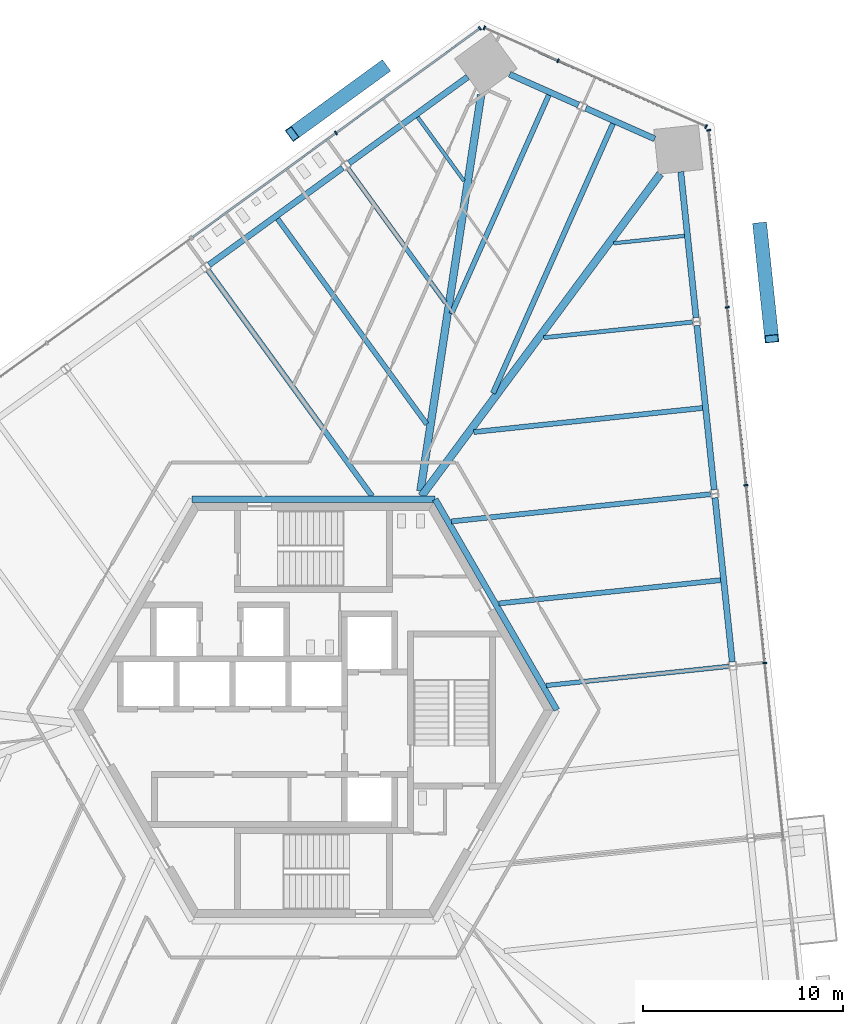
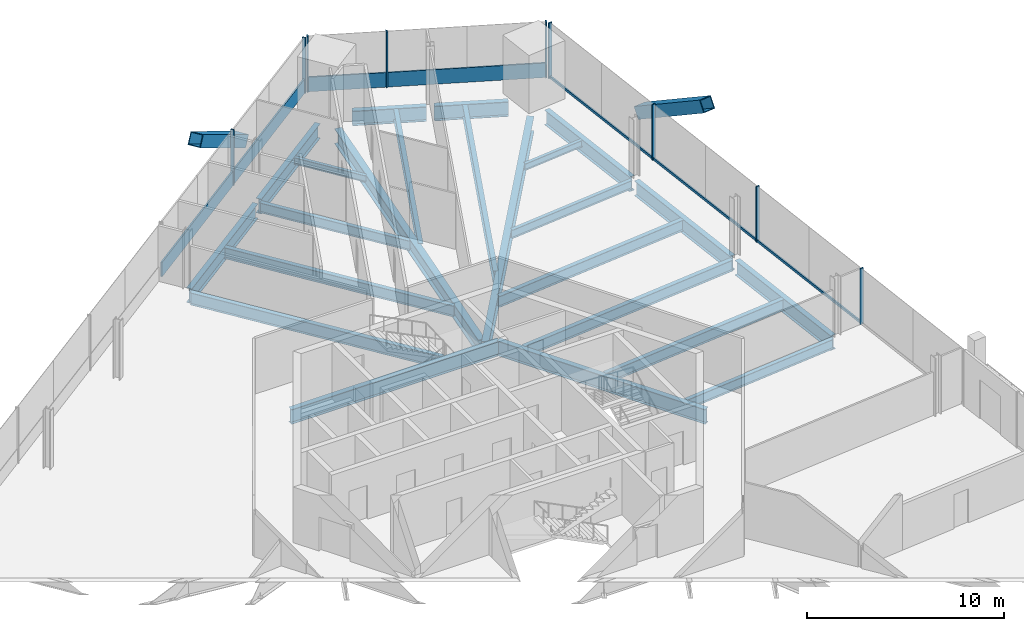
# One storey, part 8 of 17: 23 beams, 18 members, 3 elements without a shape of their own.
"""IFC4 building model written with IfcOpenShell, lengths in metres."""

from ifc_helpers import new_model, si_unit, direction, frame, origin, origin_2d, place, context, subcontext, project, spatial, rectangle, hollow_rectangle, i_section, extrude, source, transform, mapped, material, material_profile, profile_set, type_object, element, aggregate, save


model = new_model("IFC4")

# Units and contexts
model_context = context("Model", 3, precision=1e-05, world=origin(), true_north=direction((0.0, 1.0)))
body_context = subcontext(model_context, "Body", "Model", "MODEL_VIEW")
ifc_project = project(units=[si_unit("LENGTHUNIT", "METRE"), si_unit("AREAUNIT", "SQUARE_METRE"), si_unit("VOLUMEUNIT", "CUBIC_METRE"), si_unit("PLANEANGLEUNIT", "RADIAN"), si_unit("MASSUNIT", "GRAM", prefix="KILO")], contexts=[model_context])

# Site, building, storey
site_placement = place(None, origin())
site = spatial("IfcSite", under=ifc_project, at=site_placement, CompositionType="ELEMENT")
building_placement = place(site_placement, origin())
building = spatial("IfcBuilding", under=site, at=building_placement, Name="Triune Harvest Tower", CompositionType="ELEMENT")
storey_placement = place(building_placement, frame((0.0, 0.0, 62.10009765625)))
storey = spatial("IfcBuildingStorey", under=building, at=storey_placement, Name="L14", CompositionType="ELEMENT", Elevation=62.10009765625)

# Beams
ifc_material_1 = material(Name="Steel ASTM A992 Gr 50", Category="steel")
ifc_material_profile_1 = material_profile(ifc_material_1, i_section(OverallWidth=0.3046875, OverallDepth=0.914306640625, WebThickness=0.0166015625, FlangeThickness=0.02587890625, at=origin_2d()), Name="W36x160")
ifc_profile_set_1 = profile_set([ifc_material_profile_1], Name="Steel ASTM A992 Gr 50")
beam_type_1 = type_object("IfcBeamType", Name="CG-1 Core ring girder W36x160", PredefinedType="BEAM", material=ifc_profile_set_1)
shared_shape_1 = source(origin(), body_context, "Body", "SweptSolid", [
    extrude(i_section(OverallWidth=0.3046875, OverallDepth=0.914306640625, WebThickness=0.0166015625, FlangeThickness=0.02587890625, at=origin_2d()), origin(), (0.0, 0.0, 1.0), 12.176025390625),
])
beam_1_placement = place(storey_placement, frame((12.176025390625, 0.0, -0.6171875), z_axis=(-0.5000099932, 0.866019634131, 0.0), x_axis=(-0.866019634131, -0.5000099932, 0.0)))
element("IfcBeam", 1, at=beam_1_placement, inside=storey, type_object=beam_type_1, Name="beam/L14/CG1", PredefinedType="BEAM", context=body_context, shape_type="MappedRepresentation", body=[
    mapped(shared_shape_1, transform((0.0, 0.0, 0.0), scale=1.0)),
])
shared_shape_2 = source(origin(), body_context, "Body", "SweptSolid", [
    extrude(i_section(OverallWidth=0.3046875, OverallDepth=0.914306640625, WebThickness=0.0166015625, FlangeThickness=0.02587890625, at=origin_2d()), origin(), (0.0, 0.0, 1.0), 12.17578125),
])
beam_2_placement = place(storey_placement, frame((6.087890625, 10.544677734375, -0.6171875), z_axis=(-1.0, 0.0, 0.0), x_axis=(0.0, -1.0, 0.0)))
element("IfcBeam", 2, at=beam_2_placement, inside=storey, type_object=beam_type_1, Name="beam/L14/CG2", PredefinedType="BEAM", context=body_context, shape_type="MappedRepresentation", body=[
    mapped(shared_shape_2, transform((0.0, 0.0, 0.0), scale=1.0)),
])
ifc_material_2 = material(Name="Steel ASTM A992 Gr 50", Category="steel")
ifc_material_profile_2 = material_profile(ifc_material_2, i_section(OverallWidth=0.3046875, OverallDepth=0.914306640625, WebThickness=0.0166015625, FlangeThickness=0.02587890625, at=origin_2d()), Name="W36x160")
ifc_profile_set_2 = profile_set([ifc_material_profile_2], Name="Steel ASTM A992 Gr 50")
beam_type_2 = type_object("IfcBeamType", Name="SB-1 Spandrel beam W36x160", PredefinedType="SPANDREL", material=ifc_profile_set_2)
shared_shape_3 = source(origin(), body_context, "Body", "SweptSolid", [
    extrude(i_section(OverallWidth=0.3046875, OverallDepth=0.914306640625, WebThickness=0.0166015625, FlangeThickness=0.02587890625, at=origin_2d()), origin(), (0.0, 0.0, 1.0), 7.337890625),
])
beam_3_placement = place(storey_placement, frame((7.7158203125, 31.677490234375, -0.6171875), z_axis=(-0.80902661548, -0.58777200975, 0.0), x_axis=(0.58777200975, -0.80902661548, 0.0)))
element("IfcBeam", 3, at=beam_3_placement, inside=storey, type_object=beam_type_2, Name="beam/L14/SB9", PredefinedType="SPANDREL", context=body_context, shape_type="MappedRepresentation", body=[
    mapped(shared_shape_3, transform((0.0, 0.0, 0.0), scale=1.0)),
])
shared_shape_4 = source(origin(), body_context, "Body", "SweptSolid", [
    extrude(i_section(OverallWidth=0.3046875, OverallDepth=0.914306640625, WebThickness=0.0166015625, FlangeThickness=0.02587890625, at=origin_2d()), origin(), (0.0, 0.0, 1.0), 8.263427734375),
])
for number, where, z_axis, x_axis, name in (
    (4, (20.956298828125, 2.403076171875, -0.6171875), (-0.104560208485, 0.994518558299, 0.0), (-0.994518558299, -0.104560208485, 0.0), "beam/L14/SB4"),
    (5, (20.05078125, 11.017822265625, -0.6171875), (-0.104527914852, 0.994521953009, 0.0), (-0.994521953009, -0.104527914852, 0.0), "beam/L14/SB5"),
    (6, (1.45654296875, 27.130126953125, -0.6171875), (-0.809015786763, -0.587786914424, 0.0), (0.587786914424, -0.809015786763, 0.0), "beam/L14/SB10"),
):
    element("IfcBeam", number, at=place(storey_placement, frame(where, z_axis=z_axis, x_axis=x_axis)), inside=storey, type_object=beam_type_2, Name=name, PredefinedType="SPANDREL", context=body_context, shape_type="MappedRepresentation", body=[
        mapped(shared_shape_4, transform((0.0, 0.0, 0.0), scale=1.0)),
    ])
shared_shape_5 = source(origin(), body_context, "Body", "SweptSolid", [
    extrude(i_section(OverallWidth=0.3046875, OverallDepth=0.914306640625, WebThickness=0.0166015625, FlangeThickness=0.02587890625, at=origin_2d()), origin(), (0.0, 0.0, 1.0), 7.338134765625),
])
beam_4_placement = place(storey_placement, frame((19.145263671875, 19.632568359375, -0.6171875), z_axis=(-0.104502933908, 0.994524578281, 0.0), x_axis=(-0.994524578281, -0.104502933908, 0.0)))
element("IfcBeam", 7, at=beam_4_placement, inside=storey, type_object=beam_type_2, Name="beam/L14/SB6", PredefinedType="SPANDREL", context=body_context, shape_type="MappedRepresentation", body=[
    mapped(shared_shape_5, transform((0.0, 0.0, 0.0), scale=1.0)),
])
shared_shape_6 = source(origin(), body_context, "Body", "SweptSolid", [
    extrude(i_section(OverallWidth=0.3046875, OverallDepth=0.914306640625, WebThickness=0.0166015625, FlangeThickness=0.02587890625, at=origin_2d()), origin(), (0.0, 0.0, 1.0), 3.77490234375),
])
beam_5_placement = place(storey_placement, frame((17.073974609375, 28.577392578125, -0.6171875), z_axis=(-0.913541977346, 0.40674445986, 0.0), x_axis=(-0.40674445986, -0.913541977346, 0.0)))
element("IfcBeam", 8, at=beam_5_placement, inside=storey, type_object=beam_type_2, Name="beam/L14/SB7", PredefinedType="SPANDREL", context=body_context, shape_type="MappedRepresentation", body=[
    mapped(shared_shape_6, transform((0.0, 0.0, 0.0), scale=1.0)),
])
shared_shape_7 = source(origin(), body_context, "Body", "SweptSolid", [
    extrude(i_section(OverallWidth=0.3046875, OverallDepth=0.914306640625, WebThickness=0.0166015625, FlangeThickness=0.02587890625, at=origin_2d()), origin(), (0.0, 0.0, 1.0), 3.774658203125),
])
beam_6_placement = place(storey_placement, frame((13.260986328125, 30.275146484375, -0.6171875), z_axis=(-0.913566008399, 0.406690482182, 0.0), x_axis=(-0.406690482182, -0.913566008399, 0.0)))
element("IfcBeam", 9, at=beam_6_placement, inside=storey, type_object=beam_type_2, Name="beam/L14/SB8", PredefinedType="SPANDREL", context=body_context, shape_type="MappedRepresentation", body=[
    mapped(shared_shape_7, transform((0.0, 0.0, 0.0), scale=1.0)),
])
ifc_material_3 = material(Name="Steel ASTM A992 Gr 50", Category="steel")
ifc_material_profile_3 = material_profile(ifc_material_3, i_section(OverallWidth=0.383544921875, OverallDepth=0.9423828125, WebThickness=0.022216796875, FlangeThickness=0.039794921875, at=origin_2d()), Name="W36x232")
ifc_profile_set_3 = profile_set([ifc_material_profile_3], Name="Steel ASTM A992 Gr 50")
beam_type_3 = type_object("IfcBeamType", Name="HG-1 Hip girder W36x232", PredefinedType="BEAM", material=ifc_profile_set_3)
shared_shape_8 = source(origin(), body_context, "Body", "SweptSolid", [
    extrude(i_section(OverallWidth=0.383544921875, OverallDepth=0.9423828125, WebThickness=0.022216796875, FlangeThickness=0.039794921875, at=origin_2d()), origin(), (0.0, 0.0, 1.0), 20.071044921875),
])
beam_7_placement = place(storey_placement, frame((17.3515625, 26.822265625, -0.63134765625), z_axis=(-0.595422435489, -0.803412797581, 0.0), x_axis=(0.803412797581, -0.595422435489, 0.0)))
element("IfcBeam", 10, at=beam_7_placement, inside=storey, type_object=beam_type_3, Name="beam/L14/HG3", PredefinedType="BEAM", context=body_context, shape_type="MappedRepresentation", body=[
    mapped(shared_shape_8, transform((0.0, 0.0, 0.0), scale=1.0)),
])
shared_shape_9 = source(origin(), body_context, "Body", "SweptSolid", [
    extrude(i_section(OverallWidth=0.383544921875, OverallDepth=0.9423828125, WebThickness=0.022216796875, FlangeThickness=0.039794921875, at=origin_2d()), origin(), (0.0, 0.0, 1.0), 20.0546875),
])
beam_8_placement = place(storey_placement, frame((8.38623046875, 30.774169921875, -0.63134765625), z_axis=(-0.151393010927, -0.988473649746, 0.0), x_axis=(0.988473649746, -0.151393010927, 0.0)))
element("IfcBeam", 11, at=beam_8_placement, inside=storey, type_object=beam_type_3, Name="beam/L14/HG4", PredefinedType="BEAM", context=body_context, shape_type="MappedRepresentation", body=[
    mapped(shared_shape_9, transform((0.0, 0.0, 0.0), scale=1.0)),
])
ifc_material_4 = material(Name="Steel ASTM A992 Gr 50", Category="steel")
ifc_material_profile_4 = material_profile(ifc_material_4, i_section(OverallWidth=0.180908203125, OverallDepth=0.41650390625, WebThickness=0.010986328125, FlangeThickness=0.01806640625, at=origin_2d()), Name="W16x57")
ifc_profile_set_4 = profile_set([ifc_material_profile_4], Name="Steel ASTM A992 Gr 50")
beam_type_4 = type_object("IfcBeamType", Name="JT-1 Floor joist W16x57", PredefinedType="JOIST", material=ifc_profile_set_4)
shared_shape_10 = source(origin(), body_context, "Body", "SweptSolid", [
    extrude(i_section(OverallWidth=0.180908203125, OverallDepth=0.41650390625, WebThickness=0.010986328125, FlangeThickness=0.01806640625, at=origin_2d()), origin(), (0.0, 0.0, 1.0), 3.95068359375),
])
beam_9_placement = place(storey_placement, frame((5.21142578125, 29.669677734375, -0.368408203125), z_axis=(0.587818894271, -0.808992550978, 0.0), x_axis=(0.808992550978, 0.587818894271, 0.0)))
element("IfcBeam", 12, at=beam_9_placement, inside=storey, type_object=beam_type_4, Name="beam/L14/JT14", PredefinedType="JOIST", context=body_context, shape_type="MappedRepresentation", body=[
    mapped(shared_shape_10, transform((0.0, 0.0, 0.0), scale=1.0)),
])
ifc_material_5 = material(Name="Steel ASTM A992 Gr 50", Category="steel")
ifc_material_profile_5 = material_profile(ifc_material_5, i_section(OverallWidth=0.22900390625, OverallDepth=0.612060546875, WebThickness=0.011962890625, FlangeThickness=0.01953125, at=origin_2d()), Name="W24x84")
ifc_profile_set_5 = profile_set([ifc_material_profile_5], Name="Steel ASTM A992 Gr 50")
beam_type_5 = type_object("IfcBeamType", Name="JT-3 Floor joist W24x84", PredefinedType="JOIST", material=ifc_profile_set_5)
shared_shape_11 = source(origin(), body_context, "Body", "SweptSolid", [
    extrude(i_section(OverallWidth=0.22900390625, OverallDepth=0.612060546875, WebThickness=0.011962890625, FlangeThickness=0.01953125, at=origin_2d()), origin(), (0.0, 0.0, 1.0), 8.28173828125),
])
beam_10_placement = place(storey_placement, frame((1.733642578125, 27.087890625, -0.46630859375), z_axis=(0.587794772324, -0.809010077581, 0.0), x_axis=(0.809010077581, 0.587794772324, 0.0)))
element("IfcBeam", 13, at=beam_10_placement, inside=storey, type_object=beam_type_5, Name="beam/L14/JT15", PredefinedType="JOIST", context=body_context, shape_type="MappedRepresentation", body=[
    mapped(shared_shape_11, transform((0.0, 0.0, 0.0), scale=1.0)),
])
shared_shape_12 = source(origin(), body_context, "Body", "SweptSolid", [
    extrude(i_section(OverallWidth=0.22900390625, OverallDepth=0.612060546875, WebThickness=0.011962890625, FlangeThickness=0.01953125, at=origin_2d()), origin(), (0.0, 0.0, 1.0), 9.186279296875),
])
beam_11_placement = place(storey_placement, frame((20.78125, 2.18408203125, -0.46630859375), z_axis=(-0.99452494946, -0.10449940144, 0.0), x_axis=(0.10449940144, -0.99452494946, 0.0)))
element("IfcBeam", 14, at=beam_11_placement, inside=storey, type_object=beam_type_5, Name="beam/L14/JT6", PredefinedType="JOIST", context=body_context, shape_type="MappedRepresentation", body=[
    mapped(shared_shape_12, transform((0.0, 0.0, 0.0), scale=1.0)),
])
ifc_material_6 = material(Name="Steel ASTM A992 Gr 50", Category="steel")
ifc_material_profile_6 = material_profile(ifc_material_6, i_section(OverallWidth=0.253662109375, OverallDepth=0.683349609375, WebThickness=0.012451171875, FlangeThickness=0.01904296875, at=origin_2d()), Name="W27x94")
ifc_profile_set_6 = profile_set([ifc_material_profile_6], Name="Steel ASTM A992 Gr 50")
beam_type_6 = type_object("IfcBeamType", Name="JT-4 Floor joist W27x94", PredefinedType="JOIST", material=ifc_profile_set_6)
shared_shape_13 = source(origin(), body_context, "Body", "SweptSolid", [
    extrude(i_section(OverallWidth=0.253662109375, OverallDepth=0.683349609375, WebThickness=0.012451171875, FlangeThickness=0.01904296875, at=origin_2d()), origin(), (0.0, 0.0, 1.0), 11.158935546875),
])
beam_12_placement = place(storey_placement, frame((20.372802734375, 6.49609375, -0.501708984375), z_axis=(-0.994523540129, -0.104512813234, 0.0), x_axis=(0.104512813234, -0.994523540129, 0.0)))
element("IfcBeam", 15, at=beam_12_placement, inside=storey, type_object=beam_type_6, Name="beam/L14/JT7", PredefinedType="JOIST", context=body_context, shape_type="MappedRepresentation", body=[
    mapped(shared_shape_13, transform((0.0, 0.0, 0.0), scale=1.0)),
])
shared_shape_14 = source(origin(), body_context, "Body", "SweptSolid", [
    extrude(i_section(OverallWidth=0.253662109375, OverallDepth=0.683349609375, WebThickness=0.012451171875, FlangeThickness=0.01904296875, at=origin_2d()), origin(), (0.0, 0.0, 1.0), 13.04296875),
])
beam_13_placement = place(storey_placement, frame((19.875732421875, 10.799072265625, -0.501708984375), z_axis=(-0.99452051979, -0.104541550188, 0.0), x_axis=(0.104541550188, -0.99452051979, 0.0)))
element("IfcBeam", 16, at=beam_13_placement, inside=storey, type_object=beam_type_6, Name="beam/L14/JT8", PredefinedType="JOIST", context=body_context, shape_type="MappedRepresentation", body=[
    mapped(shared_shape_14, transform((0.0, 0.0, 0.0), scale=1.0)),
])
shared_shape_15 = source(origin(), body_context, "Body", "SweptSolid", [
    extrude(i_section(OverallWidth=0.253662109375, OverallDepth=0.683349609375, WebThickness=0.012451171875, FlangeThickness=0.01904296875, at=origin_2d()), origin(), (0.0, 0.0, 1.0), 11.51123046875),
])
beam_14_placement = place(storey_placement, frame((19.46728515625, 15.111083984375, -0.501708984375), z_axis=(-0.994520898324, -0.104537949071, 0.0), x_axis=(0.104537949071, -0.994520898324, 0.0)))
element("IfcBeam", 17, at=beam_14_placement, inside=storey, type_object=beam_type_6, Name="beam/L14/JT9", PredefinedType="JOIST", context=body_context, shape_type="MappedRepresentation", body=[
    mapped(shared_shape_15, transform((0.0, 0.0, 0.0), scale=1.0)),
])
ifc_material_7 = material(Name="Steel ASTM A992 Gr 50", Category="steel")
ifc_material_profile_7 = material_profile(ifc_material_7, i_section(OverallWidth=0.2099609375, OverallDepth=0.535888671875, WebThickness=0.010986328125, FlangeThickness=0.017333984375, at=origin_2d()), Name="W21x68")
ifc_profile_set_7 = profile_set([ifc_material_profile_7], Name="Steel ASTM A992 Gr 50")
beam_type_7 = type_object("IfcBeamType", Name="JT-2 Floor joist W21x68", PredefinedType="JOIST", material=ifc_profile_set_7)
shared_shape_16 = source(origin(), body_context, "Body", "SweptSolid", [
    extrude(i_section(OverallWidth=0.2099609375, OverallDepth=0.535888671875, WebThickness=0.010986328125, FlangeThickness=0.017333984375, at=origin_2d()), origin(), (0.0, 0.0, 1.0), 7.491943359375),
])
beam_15_placement = place(storey_placement, frame((18.97021484375, 19.413818359375, -0.427978515625), z_axis=(-0.994520798259, -0.104538901039, 0.0), x_axis=(0.104538901039, -0.994520798259, 0.0)))
element("IfcBeam", 18, at=beam_15_placement, inside=storey, type_object=beam_type_7, Name="beam/L14/JT10", PredefinedType="JOIST", context=body_context, shape_type="MappedRepresentation", body=[
    mapped(shared_shape_16, transform((0.0, 0.0, 0.0), scale=1.0)),
])
shared_shape_17 = source(origin(), body_context, "Body", "SweptSolid", [
    extrude(i_section(OverallWidth=0.180908203125, OverallDepth=0.41650390625, WebThickness=0.010986328125, FlangeThickness=0.01806640625, at=origin_2d()), origin(), (0.0, 0.0, 1.0), 3.562255859375),
])
beam_16_placement = place(storey_placement, frame((18.56201171875, 23.725830078125, -0.368408203125), z_axis=(-0.994523089103, -0.104517105016, 0.0), x_axis=(0.104517105016, -0.994523089103, 0.0)))
element("IfcBeam", 19, at=beam_16_placement, inside=storey, type_object=beam_type_4, Name="beam/L14/JT11", PredefinedType="JOIST", context=body_context, shape_type="MappedRepresentation", body=[
    mapped(shared_shape_17, transform((0.0, 0.0, 0.0), scale=1.0)),
])
ifc_material_8 = material(Name="Steel ASTM A992 Gr 50", Category="steel")
ifc_material_profile_8 = material_profile(ifc_material_8, i_section(OverallWidth=0.2666015625, OverallDepth=0.7568359375, WebThickness=0.013916015625, FlangeThickness=0.019287109375, at=origin_2d()), Name="W30x108")
ifc_profile_set_8 = profile_set([ifc_material_profile_8], Name="Steel ASTM A992 Gr 50")
beam_type_8 = type_object("IfcBeamType", Name="JT-5 Floor joist W30x108", PredefinedType="JOIST", material=ifc_profile_set_8)
shared_shape_18 = source(origin(), body_context, "Body", "SweptSolid", [
    extrude(i_section(OverallWidth=0.2666015625, OverallDepth=0.7568359375, WebThickness=0.013916015625, FlangeThickness=0.019287109375, at=origin_2d()), origin(), (0.0, 0.0, 1.0), 14.766357421875),
])
beam_17_placement = place(storey_placement, frame((14.987060546875, 29.33984375, -0.53857421875), z_axis=(-0.406727456384, -0.913549547766, 0.0), x_axis=(0.913549547766, -0.406727456384, 0.0)))
element("IfcBeam", 20, at=beam_17_placement, inside=storey, type_object=beam_type_8, Name="beam/L14/JT12", PredefinedType="JOIST", context=body_context, shape_type="MappedRepresentation", body=[
    mapped(shared_shape_18, transform((0.0, 0.0, 0.0), scale=1.0)),
])
shared_shape_19 = source(origin(), body_context, "Body", "SweptSolid", [
    extrude(i_section(OverallWidth=0.253662109375, OverallDepth=0.683349609375, WebThickness=0.012451171875, FlangeThickness=0.01904296875, at=origin_2d()), origin(), (0.0, 0.0, 1.0), 11.977783203125),
])
beam_18_placement = place(storey_placement, frame((11.775390625, 30.769775390625, -0.501708984375), z_axis=(-0.406717086171, -0.913554164687, 0.0), x_axis=(0.913554164687, -0.406717086171, 0.0)))
element("IfcBeam", 21, at=beam_18_placement, inside=storey, type_object=beam_type_6, Name="beam/L14/JT13", PredefinedType="JOIST", context=body_context, shape_type="MappedRepresentation", body=[
    mapped(shared_shape_19, transform((0.0, 0.0, 0.0), scale=1.0)),
])
shared_shape_20 = source(origin(), body_context, "Body", "SweptSolid", [
    extrude(i_section(OverallWidth=0.253662109375, OverallDepth=0.683349609375, WebThickness=0.012451171875, FlangeThickness=0.01904296875, at=origin_2d()), origin(), (0.0, 0.0, 1.0), 12.701904296875),
])
beam_19_placement = place(storey_placement, frame((-1.79638671875, 24.578369140625, -0.501708984375), z_axis=(0.587773910587, -0.809025234485, 0.0), x_axis=(0.809025234485, 0.587773910587, 0.0)))
element("IfcBeam", 22, at=beam_19_placement, inside=storey, type_object=beam_type_6, Name="beam/L14/JT16", PredefinedType="JOIST", context=body_context, shape_type="MappedRepresentation", body=[
    mapped(shared_shape_20, transform((0.0, 0.0, 0.0), scale=1.0)),
])
shared_shape_21 = source(origin(), body_context, "Body", "SweptSolid", [
    extrude(i_section(OverallWidth=0.2666015625, OverallDepth=0.7568359375, WebThickness=0.013916015625, FlangeThickness=0.019287109375, at=origin_2d()), origin(), (0.0, 0.0, 1.0), 13.967041015625),
])
beam_20_placement = place(storey_placement, frame((-5.2744140625, 21.99658203125, -0.53857421875), z_axis=(0.587790196646, -0.809013402069, 0.0), x_axis=(0.809013402069, 0.587790196646, 0.0)))
element("IfcBeam", 23, at=beam_20_placement, inside=storey, type_object=beam_type_8, Name="beam/L14/JT17", PredefinedType="JOIST", context=body_context, shape_type="MappedRepresentation", body=[
    mapped(shared_shape_21, transform((0.0, 0.0, 0.0), scale=1.0)),
])

# Members
ifc_material_9 = material(Name="Steel ASTM A572 Gr 50", Category="steel")
ifc_material_profile_9 = material_profile(ifc_material_9, hollow_rectangle(XDim=0.699951171875, YDim=0.699951171875, WallThickness=0.0400390625, at=origin_2d()), Name="Box 700x700x40")
ifc_profile_set_9 = profile_set([ifc_material_profile_9], Name="Steel ASTM A572 Gr 50")
member_type_1 = type_object("IfcMemberType", Name="BR-1 Brace Box 700x700x40", PredefinedType="BRACE", material=ifc_profile_set_9)
shared_shape_22 = source(origin(), body_context, "Body", "SweptSolid", [
    extrude(hollow_rectangle(XDim=0.699951171875, YDim=0.699951171875, WallThickness=0.0400390625, at=origin_2d()), origin(), (0.0, 0.0, 1.0), 6.7021484375),
])
for number, where, z_axis, x_axis, name in (
    (24, (22.3408203125, 24.19873046875, 0.0), (0.088154221721, -0.838885773554, 0.537121487301), (0.994523894921, 0.104509437045, 0.0), "brace/B2-F1/d2/2"),
    (25, (3.504638671875, 32.147216796875, 0.0), (-0.682428606902, -0.495775239668, 0.537120199038), (0.587755637763, -0.809038509762, 0.0), "brace/B2-F3/d1/2"),
):
    element("IfcMember", number, at=place(storey_placement, frame(where, z_axis=z_axis, x_axis=x_axis)), inside=storey, type_object=member_type_1, Name=name, PredefinedType="BRACE", context=body_context, shape_type="MappedRepresentation", body=[
        mapped(shared_shape_22, transform((0.0, 0.0, 0.0), scale=1.0)),
    ])

# Curtain wall, members
ifc_material_10 = material(Name="Aluminium bronze anodised", Category="aluminium")
curtain_wall_type_1 = type_object("IfcCurtainWallType", Name="CW-1 Tower stick curtain wall", PredefinedType="NOTDEFINED", material=ifc_material_10)
curtain_wall_1_placement = place(storey_placement, origin())
curtain_wall_1 = element("IfcCurtainWall", 26, at=curtain_wall_1_placement, inside=storey, type_object=curtain_wall_type_1, Name="CW-1 B2-F2 L14 run 1")
ifc_material_11 = material(Name="Aluminium bronze anodised", Category="aluminium")
ifc_material_profile_10 = material_profile(ifc_material_11, rectangle(XDim=0.199951171875, YDim=0.074951171875, at=origin_2d()), Name="MU-1 mullion 75 x 200")
ifc_profile_set_10 = profile_set([ifc_material_profile_10], Name="Aluminium bronze anodised")
member_type_2 = type_object("IfcMemberType", Name="MU-1 mullion 75 x 200", PredefinedType="MULLION", material=ifc_profile_set_10)
shared_shape_23 = source(origin(), body_context, "Body", "SweptSolid", [
    extrude(rectangle(XDim=0.199951171875, YDim=0.074951171875, at=origin_2d()), origin(), (0.0, 0.0, 1.0), 3.43994140625),
])
member_1_placement = place(storey_placement, frame((19.643798828125, 29.1904296875, 0.0), z_axis=(0.0, 0.0, 1.0), x_axis=(-0.406733978386, -0.913546644034, 0.0)))
member_1 = element("IfcMember", 27, at=member_1_placement, type_object=member_type_2, Name="CW-1 mullion B2-F2 1.1", PredefinedType="MULLION", context=body_context, shape_type="MappedRepresentation", body=[
    mapped(shared_shape_23, transform((0.0, 0.0, 0.0), scale=1.0)),
])
member_2_placement = place(storey_placement, frame((12.2353515625, 32.48876953125, 0.0), z_axis=(0.0, 0.0, 1.0), x_axis=(-0.406733978386, -0.913546644034, 0.0)))
member_2 = element("IfcMember", 28, at=member_2_placement, type_object=member_type_2, Name="CW-1 mullion B2-F2 1.3", PredefinedType="MULLION", context=body_context, shape_type="MappedRepresentation", body=[
    mapped(shared_shape_23, transform((0.0, 0.0, 0.0), scale=1.0)),
])
member_3_placement = place(storey_placement, frame((8.548583984375, 34.13037109375, 0.0), z_axis=(0.0, 0.0, 1.0), x_axis=(-0.406733978386, -0.913546644034, 0.0)))
member_3 = element("IfcMember", 29, at=member_3_placement, type_object=member_type_2, Name="CW-1 mullion B2-F2 1.4", PredefinedType="MULLION", context=body_context, shape_type="MappedRepresentation", body=[
    mapped(shared_shape_23, transform((0.0, 0.0, 0.0), scale=1.0)),
])

ifc_material_12 = material(Name="Aluminium bronze anodised", Category="aluminium")
curtain_wall_type_2 = type_object("IfcCurtainWallType", Name="CW-7 Tower stick curtain wall with insulated spandrel infill", PredefinedType="NOTDEFINED", material=ifc_material_12)
curtain_wall_2_placement = place(storey_placement, origin())
curtain_wall_2 = element("IfcCurtainWall", 30, at=curtain_wall_2_placement, inside=storey, type_object=curtain_wall_type_2, Name="CW-7 B2-F3 L14 run 1")
member_4_placement = place(storey_placement, frame((8.328857421875, 34.107177734375, 0.0), z_axis=(0.0, 0.0, 1.0), x_axis=(0.587783213644, -0.809018475536, 0.0)))
member_4 = element("IfcMember", 31, at=member_4_placement, type_object=member_type_2, Name="CW-7 mullion B2-F3 1.1", PredefinedType="MULLION", context=body_context, shape_type="MappedRepresentation", body=[
    mapped(shared_shape_23, transform((0.0, 0.0, 0.0), scale=1.0)),
])
member_5_placement = place(storey_placement, frame((1.125732421875, 28.873779296875, 0.0), z_axis=(0.0, 0.0, 1.0), x_axis=(0.587783213644, -0.809018475536, 0.0)))
member_5 = element("IfcMember", 32, at=member_5_placement, type_object=member_type_2, Name="CW-7 mullion B2-F3 1.3", PredefinedType="MULLION", context=body_context, shape_type="MappedRepresentation", body=[
    mapped(shared_shape_23, transform((0.0, 0.0, 0.0), scale=1.0)),
])

# Member
ifc_material_13 = material(Name="Aluminium bronze anodised", Category="aluminium")
ifc_material_profile_11 = material_profile(ifc_material_13, rectangle(XDim=0.090087890625, YDim=0.89990234375, at=origin_2d()), Name="TR-1 transom 90 x 900")
ifc_profile_set_11 = profile_set([ifc_material_profile_11], Name="Aluminium bronze anodised")
member_type_3 = type_object("IfcMemberType", Name="TR-1 transom 90 x 900", PredefinedType="USERDEFINED", material=ifc_profile_set_11)
shared_shape_24 = source(origin(), body_context, "Body", "SweptSolid", [
    extrude(rectangle(XDim=0.090087890625, YDim=0.89990234375, at=origin_2d()), origin(), (0.0, 0.0, 1.0), 8.0341796875),
])
member_6_placement = place(storey_placement, frame((19.609375, 29.205810546875, 0.449951171875), z_axis=(-0.913544441051, 0.40673892637, 0.0), x_axis=(-0.40673892637, -0.913544441051, 0.0)))
member_6 = element("IfcMember", 33, at=member_6_placement, type_object=member_type_3, Name="CW-1 transom B2-F2 1.1", ObjectType="TRANSOM", PredefinedType="USERDEFINED", context=body_context, shape_type="MappedRepresentation", body=[
    mapped(shared_shape_24, transform((0.0, 0.0, 0.0), scale=1.0)),
])

shared_shape_25 = source(origin(), body_context, "Body", "SweptSolid", [
    extrude(rectangle(XDim=0.090087890625, YDim=0.89990234375, at=origin_2d()), origin(), (0.0, 0.0, 1.0), 3.960693359375),
])
member_7_placement = place(storey_placement, frame((12.201171875, 32.504150390625, 0.449951171875), z_axis=(-0.913562276019, 0.406698866282, 0.0), x_axis=(-0.406698866282, -0.913562276019, 0.0)))
member_7 = element("IfcMember", 34, at=member_7_placement, type_object=member_type_3, Name="CW-1 transom B2-F2 1.2", ObjectType="TRANSOM", PredefinedType="USERDEFINED", context=body_context, shape_type="MappedRepresentation", body=[
    mapped(shared_shape_25, transform((0.0, 0.0, 0.0), scale=1.0)),
])

aggregate(curtain_wall_1, [member_1, member_2, member_3, member_6, member_7])

# Curtain wall, members
ifc_material_14 = material(Name="Aluminium bronze anodised", Category="aluminium")
curtain_wall_type_3 = type_object("IfcCurtainWallType", Name="CW-6 Balcony window wall", PredefinedType="NOTDEFINED", material=ifc_material_14)
curtain_wall_3_placement = place(storey_placement, origin())
curtain_wall_3 = element("IfcCurtainWall", 35, at=curtain_wall_3_placement, inside=storey, type_object=curtain_wall_type_3, Name="CW-6 B2-F1 L14 run 2")
ifc_material_15 = material(Name="Aluminium bronze anodised", Category="aluminium")
ifc_material_profile_12 = material_profile(ifc_material_15, rectangle(XDim=0.199951171875, YDim=0.074951171875, at=origin_2d()), Name="MU-6 mullion 75 x 200")
ifc_profile_set_12 = profile_set([ifc_material_profile_12], Name="Aluminium bronze anodised")
member_type_4 = type_object("IfcMemberType", Name="MU-6 mullion 75 x 200", PredefinedType="MULLION", material=ifc_profile_set_12)
shared_shape_26 = source(origin(), body_context, "Body", "SweptSolid", [
    extrude(rectangle(XDim=0.199951171875, YDim=0.074951171875, at=origin_2d()), origin(), (0.0, 0.0, 1.0), 3.43994140625),
])
member_8_placement = place(storey_placement, frame((22.57568359375, 2.35009765625, 0.0), z_axis=(0.0, 0.0, 1.0), x_axis=(-0.994521992769, -0.104527536558, 0.0)))
member_8 = element("IfcMember", 36, at=member_8_placement, type_object=member_type_4, Name="CW-6 mullion B2-F1 2.3", PredefinedType="MULLION", context=body_context, shape_type="MappedRepresentation", body=[
    mapped(shared_shape_26, transform((0.0, 0.0, 0.0), scale=1.0)),
])
member_9_placement = place(storey_placement, frame((21.640380859375, 11.249755859375, 0.0), z_axis=(0.0, 0.0, 1.0), x_axis=(-0.994521992769, -0.104527536558, 0.0)))
member_9 = element("IfcMember", 37, at=member_9_placement, type_object=member_type_4, Name="CW-6 mullion B2-F1 2.5", PredefinedType="MULLION", context=body_context, shape_type="MappedRepresentation", body=[
    mapped(shared_shape_26, transform((0.0, 0.0, 0.0), scale=1.0)),
])
member_10_placement = place(storey_placement, frame((20.705078125, 20.1494140625, 0.0), z_axis=(0.0, 0.0, 1.0), x_axis=(-0.994521992769, -0.104527536558, 0.0)))
member_10 = element("IfcMember", 38, at=member_10_placement, type_object=member_type_4, Name="CW-6 mullion B2-F1 2.7", PredefinedType="MULLION", context=body_context, shape_type="MappedRepresentation", body=[
    mapped(shared_shape_26, transform((0.0, 0.0, 0.0), scale=1.0)),
])
member_11_placement = place(storey_placement, frame((19.7734375, 29.01171875, 0.0), z_axis=(0.0, 0.0, 1.0), x_axis=(-0.994521992769, -0.104527536558, 0.0)))
member_11 = element("IfcMember", 39, at=member_11_placement, type_object=member_type_4, Name="CW-6 mullion B2-F1 2.9", PredefinedType="MULLION", context=body_context, shape_type="MappedRepresentation", body=[
    mapped(shared_shape_26, transform((0.0, 0.0, 0.0), scale=1.0)),
])
ifc_material_16 = material(Name="Aluminium bronze anodised", Category="aluminium")
ifc_material_profile_13 = material_profile(ifc_material_16, rectangle(XDim=0.090087890625, YDim=0.14990234375, at=origin_2d()), Name="TR-6 transom 90 x 150")
ifc_profile_set_13 = profile_set([ifc_material_profile_13], Name="Aluminium bronze anodised")
member_type_5 = type_object("IfcMemberType", Name="TR-6 transom 90 x 150", PredefinedType="USERDEFINED", material=ifc_profile_set_13)
shared_shape_27 = source(origin(), body_context, "Body", "SweptSolid", [
    extrude(rectangle(XDim=0.090087890625, YDim=0.14990234375, at=origin_2d()), origin(), (0.0, 0.0, 1.0), 8.836181640625),
])
member_12_placement = place(storey_placement, frame((20.701171875, 20.186767578125, 0.074951171875), z_axis=(-0.104549588812, 0.994519674757, 0.0), x_axis=(-0.994519674757, -0.104549588812, 0.0)))
member_12 = element("IfcMember", 40, at=member_12_placement, type_object=member_type_5, Name="CW-6 transom B2-F1 2.4", ObjectType="TRANSOM", PredefinedType="USERDEFINED", context=body_context, shape_type="MappedRepresentation", body=[
    mapped(shared_shape_27, transform((0.0, 0.0, 0.0), scale=1.0)),
])
shared_shape_28 = source(origin(), body_context, "Body", "SweptSolid", [
    extrude(rectangle(XDim=0.090087890625, YDim=0.14990234375, at=origin_2d()), origin(), (0.0, 0.0, 1.0), 8.87353515625),
])
member_13_placement = place(storey_placement, frame((22.57177734375, 2.387451171875, 0.074951171875), z_axis=(-0.104522944752, 0.994522475372, 0.0), x_axis=(-0.994522475372, -0.104522944752, 0.0)))
member_13 = element("IfcMember", 41, at=member_13_placement, type_object=member_type_5, Name="CW-6 transom B2-F1 2.2", ObjectType="TRANSOM", PredefinedType="USERDEFINED", context=body_context, shape_type="MappedRepresentation", body=[
    mapped(shared_shape_28, transform((0.0, 0.0, 0.0), scale=1.0)),
])
member_14_placement = place(storey_placement, frame((21.636474609375, 11.287109375, 0.074951171875), z_axis=(-0.104522944752, 0.994522475372, 0.0), x_axis=(-0.994522475372, -0.104522944752, 0.0)))
member_14 = element("IfcMember", 42, at=member_14_placement, type_object=member_type_5, Name="CW-6 transom B2-F1 2.3", ObjectType="TRANSOM", PredefinedType="USERDEFINED", context=body_context, shape_type="MappedRepresentation", body=[
    mapped(shared_shape_28, transform((0.0, 0.0, 0.0), scale=1.0)),
])
aggregate(curtain_wall_3, [member_8, member_9, member_10, member_11, member_13, member_14, member_12])

# Member
shared_shape_29 = source(origin(), body_context, "Body", "SweptSolid", [
    extrude(rectangle(XDim=0.090087890625, YDim=0.89990234375, at=origin_2d()), origin(), (0.0, 0.0, 1.0), 8.82861328125),
])
member_15_placement = place(storey_placement, frame((8.298583984375, 34.085205078125, 0.449951171875), z_axis=(-0.809026570054, -0.587772072276, 0.0), x_axis=(0.587772072276, -0.809026570054, 0.0)))
member_15 = element("IfcMember", 43, at=member_15_placement, type_object=member_type_3, Name="CW-7 transom B2-F3 1.1", ObjectType="TRANSOM", PredefinedType="USERDEFINED", context=body_context, shape_type="MappedRepresentation", body=[
    mapped(shared_shape_29, transform((0.0, 0.0, 0.0), scale=1.0)),
])

shared_shape_30 = source(origin(), body_context, "Body", "SweptSolid", [
    extrude(rectangle(XDim=0.090087890625, YDim=0.89990234375, at=origin_2d()), origin(), (0.0, 0.0, 1.0), 8.828369140625),
])
member_16_placement = place(storey_placement, frame((1.09521484375, 28.851806640625, 0.449951171875), z_axis=(-0.809017016162, -0.587785222305, 0.0), x_axis=(0.587785222305, -0.809017016162, 0.0)))
member_16 = element("IfcMember", 44, at=member_16_placement, type_object=member_type_3, Name="CW-7 transom B2-F3 1.2", ObjectType="TRANSOM", PredefinedType="USERDEFINED", context=body_context, shape_type="MappedRepresentation", body=[
    mapped(shared_shape_30, transform((0.0, 0.0, 0.0), scale=1.0)),
])

aggregate(curtain_wall_2, [member_4, member_5, member_15, member_16])

save(model, "model.ifc")
